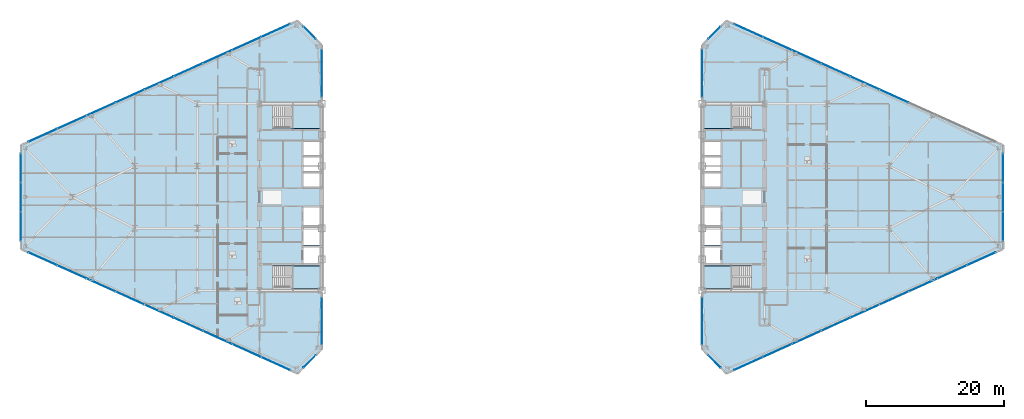
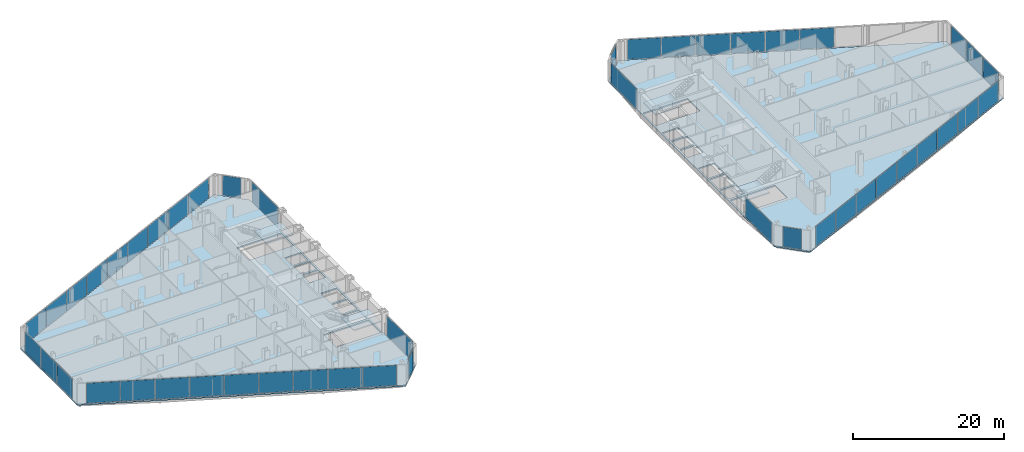
# One storey, part 17 of 27: 47 plates, 6 slabs, 18 elements without a shape of their own.
"""IFC4 building model written with IfcOpenShell, lengths in metres."""

from ifc_helpers import new_model, si_unit, direction, frame, origin, origin_2d, place, context, subcontext, project, spatial, polyline, rectangle, outline, extrude, source, transform, mapped, material, layer, layer_set, type_object, type_shapes, element, aggregate, save


model = new_model("IFC4")

# Units and contexts
model_context = context("Model", 3, precision=1e-05, world=origin(), true_north=direction((0.0, 1.0)))
body_context = subcontext(model_context, "Body", "Model", "MODEL_VIEW")
ifc_project = project(units=[si_unit("LENGTHUNIT", "METRE"), si_unit("AREAUNIT", "SQUARE_METRE"), si_unit("VOLUMEUNIT", "CUBIC_METRE"), si_unit("PLANEANGLEUNIT", "RADIAN"), si_unit("MASSUNIT", "GRAM", prefix="KILO")], contexts=[model_context])

# Site, building, storey
site_placement = place(None, origin())
site = spatial("IfcSite", under=ifc_project, at=site_placement, CompositionType="ELEMENT")
building_placement = place(site_placement, origin())
building = spatial("IfcBuilding", under=site, at=building_placement, Name="Seokmaru Belvedere", CompositionType="ELEMENT")
storey_placement = place(building_placement, frame((0.0, 0.0, 106.800048828125)))
storey = spatial("IfcBuildingStorey", under=building, at=storey_placement, Name="L28", CompositionType="ELEMENT", Elevation=106.800048828125)

# Stair, slab
ifc_material_1 = material(Name="Concrete C40 (40 MPa)", Category="concrete")
stair_type = type_object("IfcStairType", Name="Typical Tower Core Dog-Leg Stair 3600", PredefinedType="TWO_STRAIGHT_RUN_STAIR", material=ifc_material_1)
stair_1_placement = place(storey_placement, origin())
stair_1 = element("IfcStair", 1, at=stair_1_placement, inside=storey, type_object=stair_type, Name="L28 Special Escape Stair ST-W1", PredefinedType="TWO_STRAIGHT_RUN_STAIR")
ifc_layer_1 = layer(ifc_material_1, 0.199951171875)
ifc_layer_set_1 = layer_set([ifc_layer_1], Name="Concrete C40 (40 MPa)")
slab_type_1 = type_object("IfcSlabType", Name="Reinforced Concrete Stair Landing Slab 200", PredefinedType="LANDING", material=ifc_layer_set_1)
slab_1_placement = place(storey_placement, frame((0.0, 0.0, 1.599853515625)))
slab_1 = element("IfcSlab", 2, at=slab_1_placement, type_object=slab_type_1, Name="ST-W1 landing 1", PredefinedType="LANDING", context=body_context, shape_type="SweptSolid", body=[
    extrude(outline(polyline([(-31.8798828125, -13.239990234375), (-27.760009765625, -13.239990234375), (-27.760009765625, -9.949951171875), (-31.8798828125, -9.949951171875), (-31.8798828125, -13.239990234375)])), origin(), (0.0, 0.0, 1.0), 0.2001953125),
])
aggregate(stair_1, [slab_1])

stair_2_placement = place(storey_placement, origin())
stair_2 = element("IfcStair", 3, at=stair_2_placement, inside=storey, type_object=stair_type, Name="L28 Special Escape Stair ST-W2", PredefinedType="TWO_STRAIGHT_RUN_STAIR")
slab_2_placement = place(storey_placement, frame((0.0, 0.0, 1.599853515625)))
slab_2 = element("IfcSlab", 4, at=slab_2_placement, type_object=slab_type_1, Name="ST-W2 landing 1", PredefinedType="LANDING", context=body_context, shape_type="SweptSolid", body=[
    extrude(outline(polyline([(-31.8798828125, 9.949951171875), (-27.760009765625, 9.949951171875), (-27.760009765625, 13.239990234375), (-31.8798828125, 13.239990234375), (-31.8798828125, 9.949951171875)])), origin(), (0.0, 0.0, 1.0), 0.2001953125),
])
aggregate(stair_2, [slab_2])

stair_3_placement = place(storey_placement, origin())
stair_3 = element("IfcStair", 5, at=stair_3_placement, inside=storey, type_object=stair_type, Name="L28 Special Escape Stair ST-E1", PredefinedType="TWO_STRAIGHT_RUN_STAIR")
slab_3_placement = place(storey_placement, frame((0.0, 0.0, 1.599853515625)))
slab_3 = element("IfcSlab", 6, at=slab_3_placement, type_object=slab_type_1, Name="ST-E1 landing 1", PredefinedType="LANDING", context=body_context, shape_type="SweptSolid", body=[
    extrude(outline(polyline([(27.760009765625, -13.239990234375), (31.8798828125, -13.239990234375), (31.8798828125, -9.949951171875), (27.760009765625, -9.949951171875), (27.760009765625, -13.239990234375)])), origin(), (0.0, 0.0, 1.0), 0.2001953125),
])
aggregate(stair_3, [slab_3])

stair_4_placement = place(storey_placement, origin())
stair_4 = element("IfcStair", 7, at=stair_4_placement, inside=storey, type_object=stair_type, Name="L28 Special Escape Stair ST-E2", PredefinedType="TWO_STRAIGHT_RUN_STAIR")
slab_4_placement = place(storey_placement, frame((0.0, 0.0, 1.599853515625)))
slab_4 = element("IfcSlab", 8, at=slab_4_placement, type_object=slab_type_1, Name="ST-E2 landing 1", PredefinedType="LANDING", context=body_context, shape_type="SweptSolid", body=[
    extrude(outline(polyline([(27.760009765625, 9.949951171875), (31.8798828125, 9.949951171875), (31.8798828125, 13.239990234375), (27.760009765625, 13.239990234375), (27.760009765625, 9.949951171875)])), origin(), (0.0, 0.0, 1.0), 0.2001953125),
])
aggregate(stair_4, [slab_4])

# Slabs
ifc_layer_2 = layer(ifc_material_1, 0.219970703125)
ifc_layer_set_2 = layer_set([ifc_layer_2], Name="Concrete C40 (40 MPa)")
slab_type_2 = type_object("IfcSlabType", Name="Typical Tower Composite Floor Slab 220", PredefinedType="FLOOR", material=ifc_layer_set_2)
slab_5_placement = place(storey_placement, frame((0.0, 0.0, -0.219970703125)))
element("IfcSlab", 9, at=slab_5_placement, inside=storey, type_object=slab_type_2, Name="L28 West Leg Floor Slab", PredefinedType="FLOOR", context=body_context, shape_type="SweptSolid", body=[
    extrude(outline(polyline([(-27.5, -22.0), (-27.5, 22.0), (-31.0, 25.5), (-71.0, 7.5), (-71.0, -7.5), (-31.0, -25.5), (-27.5, -22.0)]), holes=[polyline([(-34.60009765625, -13.25), (-27.75, -13.25), (-27.75, -9.949951171875), (-34.60009765625, -9.949951171875), (-34.60009765625, -13.25)]), polyline([(-34.60009765625, 9.949951171875), (-27.75, 9.949951171875), (-27.75, 13.25), (-34.60009765625, 13.25), (-34.60009765625, 9.949951171875)]), polyline([(-30.14990234375, -9.550048828125), (-27.75, -9.550048828125), (-27.75, -7.25), (-30.14990234375, -7.25), (-30.14990234375, -9.550048828125)]), polyline([(-30.14990234375, -6.949951171875), (-27.75, -6.949951171875), (-27.75, -4.35009765625), (-30.14990234375, -4.35009765625), (-30.14990234375, -6.949951171875)]), polyline([(-30.14990234375, -4.050048828125), (-27.75, -4.050048828125), (-27.75, -1.449951171875), (-30.14990234375, -1.449951171875), (-30.14990234375, -4.050048828125)]), polyline([(-30.14990234375, 1.449951171875), (-27.75, 1.449951171875), (-27.75, 3.449951171875), (-30.14990234375, 3.449951171875), (-30.14990234375, 1.449951171875)]), polyline([(-30.14990234375, 3.75), (-27.75, 3.75), (-27.75, 5.75), (-30.14990234375, 5.75), (-30.14990234375, 3.75)]), polyline([(-30.14990234375, 6.050048828125), (-27.75, 6.050048828125), (-27.75, 8.050048828125), (-30.14990234375, 8.050048828125), (-30.14990234375, 6.050048828125)])]), origin(), (0.0, 0.0, 1.0), 0.219970703125),
])
slab_6_placement = place(storey_placement, frame((0.0, 0.0, -0.219970703125)))
element("IfcSlab", 10, at=slab_6_placement, inside=storey, type_object=slab_type_2, Name="L28 East Leg Floor Slab", PredefinedType="FLOOR", context=body_context, shape_type="SweptSolid", body=[
    extrude(outline(polyline([(31.0, -25.5), (71.0, -7.5), (71.0, 7.5), (31.0, 25.5), (27.5, 22.0), (27.5, -22.0), (31.0, -25.5)]), holes=[polyline([(27.75, -13.25), (34.60009765625, -13.25), (34.60009765625, -9.949951171875), (27.75, -9.949951171875), (27.75, -13.25)]), polyline([(27.75, 9.949951171875), (34.60009765625, 9.949951171875), (34.60009765625, 13.25), (27.75, 13.25), (27.75, 9.949951171875)]), polyline([(27.75, -9.550048828125), (30.14990234375, -9.550048828125), (30.14990234375, -7.25), (27.75, -7.25), (27.75, -9.550048828125)]), polyline([(27.75, -6.949951171875), (30.14990234375, -6.949951171875), (30.14990234375, -4.35009765625), (27.75, -4.35009765625), (27.75, -6.949951171875)]), polyline([(27.75, -4.050048828125), (30.14990234375, -4.050048828125), (30.14990234375, -1.449951171875), (27.75, -1.449951171875), (27.75, -4.050048828125)]), polyline([(27.75, 1.449951171875), (30.14990234375, 1.449951171875), (30.14990234375, 3.449951171875), (27.75, 3.449951171875), (27.75, 1.449951171875)]), polyline([(27.75, 3.75), (30.14990234375, 3.75), (30.14990234375, 5.75), (27.75, 5.75), (27.75, 3.75)]), polyline([(27.75, 6.050048828125), (30.14990234375, 6.050048828125), (30.14990234375, 8.050048828125), (27.75, 8.050048828125), (27.75, 6.050048828125)])]), origin(), (0.0, 0.0, 1.0), 0.219970703125),
])

# Curtain wall, plate
ifc_material_2 = material(Name="Bronze Triple Insulating Glass", Category="glass")
ifc_layer_3 = layer(ifc_material_2, 0.195068359375)
ifc_layer_set_3 = layer_set([ifc_layer_3], Name="Bronze Triple Insulating Glass")
curtain_wall_type = type_object("IfcCurtainWallType", Name="Lower-Mid Tapered Curtain Wall System CW-3", PredefinedType="NOTDEFINED", material=ifc_layer_set_3)
curtain_wall_1_placement = place(storey_placement, origin())
curtain_wall_1 = element("IfcCurtainWall", 11, at=curtain_wall_1_placement, inside=storey, type_object=curtain_wall_type, Name="L28 Curtain Wall WSP_1", PredefinedType="NOTDEFINED")
ifc_layer_4 = layer(ifc_material_2, 0.035888671875)
ifc_layer_set_4 = layer_set([ifc_layer_4], Name="Bronze Triple Insulating Glass")
plate_type = type_object("IfcPlateType", Name="Bronze Triple Vision Glazing Panel 36", PredefinedType="CURTAIN_PANEL", material=ifc_layer_set_4)
shared_shape_1 = source(origin(), body_context, "Body", "SweptSolid", [
    extrude(rectangle(XDim=6.909912109375, YDim=0.035888671875, at=origin_2d()), origin(), (0.0, 0.0, 1.0), 3.239990234375),
])
plate_1_placement = place(storey_placement, frame((-27.5, -17.905029296875, 0.06982421875), z_axis=(0.0, 0.0, 1.0), x_axis=(0.0, 1.0, 0.0)))
plate_1 = element("IfcPlate", 12, at=plate_1_placement, type_object=plate_type, Name="CW:L28:WSP_1 Glazing Panel 1-1", PredefinedType="CURTAIN_PANEL", context=body_context, shape_type="MappedRepresentation", body=[
    mapped(shared_shape_1, transform((0.0, 0.0, 0.0), scale=1.0)),
])
aggregate(curtain_wall_1, [plate_1])

curtain_wall_2_placement = place(storey_placement, origin())
curtain_wall_2 = element("IfcCurtainWall", 13, at=curtain_wall_2_placement, inside=storey, type_object=curtain_wall_type, Name="L28 Curtain Wall WSP_2", PredefinedType="NOTDEFINED")
plate_2_placement = place(storey_placement, frame((-27.5, 17.905029296875, 0.06982421875), z_axis=(0.0, 0.0, 1.0), x_axis=(0.0, 1.0, 0.0)))
plate_2 = element("IfcPlate", 14, at=plate_2_placement, type_object=plate_type, Name="CW:L28:WSP_2 Glazing Panel 1-1", PredefinedType="CURTAIN_PANEL", context=body_context, shape_type="MappedRepresentation", body=[
    mapped(shared_shape_1, transform((0.0, 0.0, 0.0), scale=1.0)),
])
aggregate(curtain_wall_2, [plate_2])

curtain_wall_3_placement = place(storey_placement, origin())
curtain_wall_3 = element("IfcCurtainWall", 15, at=curtain_wall_3_placement, inside=storey, type_object=curtain_wall_type, Name="L28 Curtain Wall ESP_1", PredefinedType="NOTDEFINED")
plate_3_placement = place(storey_placement, frame((27.5, -17.905029296875, 0.06982421875), z_axis=(0.0, 0.0, 1.0), x_axis=(0.0, -1.0, 0.0)))
plate_3 = element("IfcPlate", 16, at=plate_3_placement, type_object=plate_type, Name="CW:L28:ESP_1 Glazing Panel 1-1", PredefinedType="CURTAIN_PANEL", context=body_context, shape_type="MappedRepresentation", body=[
    mapped(shared_shape_1, transform((0.0, 0.0, 0.0), scale=1.0)),
])
aggregate(curtain_wall_3, [plate_3])

curtain_wall_4_placement = place(storey_placement, origin())
curtain_wall_4 = element("IfcCurtainWall", 17, at=curtain_wall_4_placement, inside=storey, type_object=curtain_wall_type, Name="L28 Curtain Wall ESP_2", PredefinedType="NOTDEFINED")
plate_4_placement = place(storey_placement, frame((27.5, 17.905029296875, 0.06982421875), z_axis=(0.0, 0.0, 1.0), x_axis=(0.0, -1.0, 0.0)))
plate_4 = element("IfcPlate", 18, at=plate_4_placement, type_object=plate_type, Name="CW:L28:ESP_2 Glazing Panel 1-1", PredefinedType="CURTAIN_PANEL", context=body_context, shape_type="MappedRepresentation", body=[
    mapped(shared_shape_1, transform((0.0, 0.0, 0.0), scale=1.0)),
])
aggregate(curtain_wall_4, [plate_4])

curtain_wall_5_placement = place(storey_placement, origin())
curtain_wall_5 = element("IfcCurtainWall", 19, at=curtain_wall_5_placement, inside=storey, type_object=curtain_wall_type, Name="L28 Curtain Wall WF2", PredefinedType="NOTDEFINED")
shared_shape_2 = source(origin(), body_context, "Body", "SweptSolid", [
    extrude(rectangle(XDim=2.509765625, YDim=0.035888671875, at=origin_2d()), origin(), (0.0, 0.0, 1.0), 3.239990234375),
])
plate_5_placement = place(storey_placement, frame((-29.25, 23.75, 0.06982421875), z_axis=(0.0, 0.0, 1.0), x_axis=(-0.707106781187, 0.707106781187, 0.0)))
plate_5 = element("IfcPlate", 20, at=plate_5_placement, type_object=plate_type, Name="CW:L28:WF2 Glazing Panel 1-1", PredefinedType="CURTAIN_PANEL", context=body_context, shape_type="MappedRepresentation", body=[
    mapped(shared_shape_2, transform((0.0, 0.0, 0.0), scale=1.0)),
])
aggregate(curtain_wall_5, [plate_5])

curtain_wall_6_placement = place(storey_placement, origin())
curtain_wall_6 = element("IfcCurtainWall", 21, at=curtain_wall_6_placement, inside=storey, type_object=curtain_wall_type, Name="L28 Curtain Wall WF6", PredefinedType="NOTDEFINED")
plate_6_placement = place(storey_placement, frame((-29.25, -23.75, 0.06982421875), z_axis=(0.0, 0.0, 1.0), x_axis=(0.707106781187, 0.707106781187, 0.0)))
plate_6 = element("IfcPlate", 22, at=plate_6_placement, type_object=plate_type, Name="CW:L28:WF6 Glazing Panel 1-1", PredefinedType="CURTAIN_PANEL", context=body_context, shape_type="MappedRepresentation", body=[
    mapped(shared_shape_2, transform((0.0, 0.0, 0.0), scale=1.0)),
])
aggregate(curtain_wall_6, [plate_6])

curtain_wall_7_placement = place(storey_placement, origin())
curtain_wall_7 = element("IfcCurtainWall", 23, at=curtain_wall_7_placement, inside=storey, type_object=curtain_wall_type, Name="L28 Curtain Wall EF4", PredefinedType="NOTDEFINED")
plate_7_placement = place(storey_placement, frame((29.25, 23.75, 0.06982421875), z_axis=(0.0, 0.0, 1.0), x_axis=(-0.707106781187, -0.707106781187, 0.0)))
plate_7 = element("IfcPlate", 24, at=plate_7_placement, type_object=plate_type, Name="CW:L28:EF4 Glazing Panel 1-1", PredefinedType="CURTAIN_PANEL", context=body_context, shape_type="MappedRepresentation", body=[
    mapped(shared_shape_2, transform((0.0, 0.0, 0.0), scale=1.0)),
])
aggregate(curtain_wall_7, [plate_7])

curtain_wall_8_placement = place(storey_placement, origin())
curtain_wall_8 = element("IfcCurtainWall", 25, at=curtain_wall_8_placement, inside=storey, type_object=curtain_wall_type, Name="L28 Curtain Wall EF6", PredefinedType="NOTDEFINED")
plate_8_placement = place(storey_placement, frame((29.25, -23.75, 0.06982421875), z_axis=(0.0, 0.0, 1.0), x_axis=(0.707106781187, -0.707106781187, 0.0)))
plate_8 = element("IfcPlate", 26, at=plate_8_placement, type_object=plate_type, Name="CW:L28:EF6 Glazing Panel 1-1", PredefinedType="CURTAIN_PANEL", context=body_context, shape_type="MappedRepresentation", body=[
    mapped(shared_shape_2, transform((0.0, 0.0, 0.0), scale=1.0)),
])
aggregate(curtain_wall_8, [plate_8])

# Curtain wall, plates
curtain_wall_9_placement = place(storey_placement, origin())
curtain_wall_9 = element("IfcCurtainWall", 27, at=curtain_wall_9_placement, inside=storey, type_object=curtain_wall_type, Name="L28 Curtain Wall WF3", PredefinedType="NOTDEFINED")
shared_shape_3 = source(origin(), body_context, "Body", "SweptSolid", [
    extrude(rectangle(XDim=4.51318359375, YDim=0.035888671875, at=origin_2d()), origin(), (0.0, 0.0, 1.0), 3.239990234375),
])
plate_9_placement = place(storey_placement, frame((-34.17041015625, 24.073486328125, 0.06982421875), z_axis=(0.0, 0.0, 1.0), x_axis=(-0.91192111353, -0.41036554765, 0.0)))
plate_9 = element("IfcPlate", 28, at=plate_9_placement, type_object=plate_type, Name="CW:L28:WF3 Glazing Panel 1-1", PredefinedType="CURTAIN_PANEL", context=body_context, shape_type="MappedRepresentation", body=[
    mapped(shared_shape_3, transform((0.0, 0.0, 0.0), scale=1.0)),
])
plate_10_placement = place(storey_placement, frame((-67.82958984375, 8.926513671875, 0.06982421875), z_axis=(0.0, 0.0, 1.0), x_axis=(-0.91192111353, -0.41036554765, 0.0)))
plate_10 = element("IfcPlate", 29, at=plate_10_placement, type_object=plate_type, Name="CW:L28:WF3 Glazing Panel 9-1", PredefinedType="CURTAIN_PANEL", context=body_context, shape_type="MappedRepresentation", body=[
    mapped(shared_shape_3, transform((0.0, 0.0, 0.0), scale=1.0)),
])

curtain_wall_10_placement = place(storey_placement, origin())
curtain_wall_10 = element("IfcCurtainWall", 30, at=curtain_wall_10_placement, inside=storey, type_object=curtain_wall_type, Name="L28 Curtain Wall WF5", PredefinedType="NOTDEFINED")
plate_11_placement = place(storey_placement, frame((-67.82958984375, -8.926513671875, 0.06982421875), z_axis=(0.0, 0.0, 1.0), x_axis=(0.91192111353, -0.41036554765, 0.0)))
plate_11 = element("IfcPlate", 31, at=plate_11_placement, type_object=plate_type, Name="CW:L28:WF5 Glazing Panel 1-1", PredefinedType="CURTAIN_PANEL", context=body_context, shape_type="MappedRepresentation", body=[
    mapped(shared_shape_3, transform((0.0, 0.0, 0.0), scale=1.0)),
])
plate_12_placement = place(storey_placement, frame((-34.17041015625, -24.073486328125, 0.06982421875), z_axis=(0.0, 0.0, 1.0), x_axis=(0.91192111353, -0.41036554765, 0.0)))
plate_12 = element("IfcPlate", 32, at=plate_12_placement, type_object=plate_type, Name="CW:L28:WF5 Glazing Panel 9-1", PredefinedType="CURTAIN_PANEL", context=body_context, shape_type="MappedRepresentation", body=[
    mapped(shared_shape_3, transform((0.0, 0.0, 0.0), scale=1.0)),
])

curtain_wall_11_placement = place(storey_placement, origin())
curtain_wall_11 = element("IfcCurtainWall", 33, at=curtain_wall_11_placement, inside=storey, type_object=curtain_wall_type, Name="L28 Curtain Wall EF1", PredefinedType="NOTDEFINED")
plate_13_placement = place(storey_placement, frame((34.17041015625, -24.073486328125, 0.06982421875), z_axis=(0.0, 0.0, 1.0), x_axis=(0.91192111353, 0.41036554765, 0.0)))
plate_13 = element("IfcPlate", 34, at=plate_13_placement, type_object=plate_type, Name="CW:L28:EF1 Glazing Panel 1-1", PredefinedType="CURTAIN_PANEL", context=body_context, shape_type="MappedRepresentation", body=[
    mapped(shared_shape_3, transform((0.0, 0.0, 0.0), scale=1.0)),
])
plate_14_placement = place(storey_placement, frame((67.82958984375, -8.926513671875, 0.06982421875), z_axis=(0.0, 0.0, 1.0), x_axis=(0.91192111353, 0.41036554765, 0.0)))
plate_14 = element("IfcPlate", 35, at=plate_14_placement, type_object=plate_type, Name="CW:L28:EF1 Glazing Panel 9-1", PredefinedType="CURTAIN_PANEL", context=body_context, shape_type="MappedRepresentation", body=[
    mapped(shared_shape_3, transform((0.0, 0.0, 0.0), scale=1.0)),
])

# Curtain wall, plate
curtain_wall_12_placement = place(storey_placement, origin())
curtain_wall_12 = element("IfcCurtainWall", 36, at=curtain_wall_12_placement, inside=storey, type_object=curtain_wall_type, Name="L28 Curtain Wall EF3", PredefinedType="NOTDEFINED")
plate_15_placement = place(storey_placement, frame((34.17041015625, 24.073486328125, 0.06982421875), z_axis=(0.0, 0.0, 1.0), x_axis=(-0.91192111353, 0.41036554765, 0.0)))
plate_15 = element("IfcPlate", 37, at=plate_15_placement, type_object=plate_type, Name="CW:L28:EF3 Glazing Panel 9-1", PredefinedType="CURTAIN_PANEL", context=body_context, shape_type="MappedRepresentation", body=[
    mapped(shared_shape_3, transform((0.0, 0.0, 0.0), scale=1.0)),
])

# Plate
shared_shape_4 = source(origin(), body_context, "Body", "SweptSolid", [
    extrude(rectangle(XDim=4.548095703125, YDim=0.035888671875, at=origin_2d()), origin(), (0.0, 0.0, 1.0), 3.239990234375),
])
plate_16_placement = place(storey_placement, frame((-38.36572265625, 22.185302734375, 0.06982421875), z_axis=(0.0, 0.0, 1.0), x_axis=(-0.91192111353, -0.41036554765, 0.0)))
plate_16 = element("IfcPlate", 38, at=plate_16_placement, type_object=plate_type, Name="CW:L28:WF3 Glazing Panel 2-1", PredefinedType="CURTAIN_PANEL", context=body_context, shape_type="MappedRepresentation", body=[
    mapped(shared_shape_4, transform((0.0, 0.0, 0.0), scale=1.0)),
])

plate_17_placement = place(storey_placement, frame((-42.5771484375, 20.290283203125, 0.06982421875), z_axis=(0.0, 0.0, 1.0), x_axis=(-0.91192111353, -0.41036554765, 0.0)))
plate_17 = element("IfcPlate", 39, at=plate_17_placement, type_object=plate_type, Name="CW:L28:WF3 Glazing Panel 3-1", PredefinedType="CURTAIN_PANEL", context=body_context, shape_type="MappedRepresentation", body=[
    mapped(shared_shape_4, transform((0.0, 0.0, 0.0), scale=1.0)),
])

plate_18_placement = place(storey_placement, frame((-46.78857421875, 18.39501953125, 0.06982421875), z_axis=(0.0, 0.0, 1.0), x_axis=(-0.91192111353, -0.41036554765, 0.0)))
plate_18 = element("IfcPlate", 40, at=plate_18_placement, type_object=plate_type, Name="CW:L28:WF3 Glazing Panel 4-1", PredefinedType="CURTAIN_PANEL", context=body_context, shape_type="MappedRepresentation", body=[
    mapped(shared_shape_4, transform((0.0, 0.0, 0.0), scale=1.0)),
])

plate_19_placement = place(storey_placement, frame((-51.0, 16.5, 0.06982421875), z_axis=(0.0, 0.0, 1.0), x_axis=(-0.91192111353, -0.41036554765, 0.0)))
plate_19 = element("IfcPlate", 41, at=plate_19_placement, type_object=plate_type, Name="CW:L28:WF3 Glazing Panel 5-1", PredefinedType="CURTAIN_PANEL", context=body_context, shape_type="MappedRepresentation", body=[
    mapped(shared_shape_4, transform((0.0, 0.0, 0.0), scale=1.0)),
])

plate_20_placement = place(storey_placement, frame((-55.21142578125, 14.60498046875, 0.06982421875), z_axis=(0.0, 0.0, 1.0), x_axis=(-0.91192111353, -0.41036554765, 0.0)))
plate_20 = element("IfcPlate", 42, at=plate_20_placement, type_object=plate_type, Name="CW:L28:WF3 Glazing Panel 6-1", PredefinedType="CURTAIN_PANEL", context=body_context, shape_type="MappedRepresentation", body=[
    mapped(shared_shape_4, transform((0.0, 0.0, 0.0), scale=1.0)),
])

plate_21_placement = place(storey_placement, frame((-59.4228515625, 12.709716796875, 0.06982421875), z_axis=(0.0, 0.0, 1.0), x_axis=(-0.91192111353, -0.41036554765, 0.0)))
plate_21 = element("IfcPlate", 43, at=plate_21_placement, type_object=plate_type, Name="CW:L28:WF3 Glazing Panel 7-1", PredefinedType="CURTAIN_PANEL", context=body_context, shape_type="MappedRepresentation", body=[
    mapped(shared_shape_4, transform((0.0, 0.0, 0.0), scale=1.0)),
])

plate_22_placement = place(storey_placement, frame((-63.63427734375, 10.814697265625, 0.06982421875), z_axis=(0.0, 0.0, 1.0), x_axis=(-0.91192111353, -0.41036554765, 0.0)))
plate_22 = element("IfcPlate", 44, at=plate_22_placement, type_object=plate_type, Name="CW:L28:WF3 Glazing Panel 8-1", PredefinedType="CURTAIN_PANEL", context=body_context, shape_type="MappedRepresentation", body=[
    mapped(shared_shape_4, transform((0.0, 0.0, 0.0), scale=1.0)),
])

aggregate(curtain_wall_9, [plate_9, plate_16, plate_17, plate_18, plate_19, plate_20, plate_21, plate_22, plate_10])

plate_23_placement = place(storey_placement, frame((-63.63427734375, -10.814697265625, 0.06982421875), z_axis=(0.0, 0.0, 1.0), x_axis=(0.91192111353, -0.41036554765, 0.0)))
plate_23 = element("IfcPlate", 45, at=plate_23_placement, type_object=plate_type, Name="CW:L28:WF5 Glazing Panel 2-1", PredefinedType="CURTAIN_PANEL", context=body_context, shape_type="MappedRepresentation", body=[
    mapped(shared_shape_4, transform((0.0, 0.0, 0.0), scale=1.0)),
])

plate_24_placement = place(storey_placement, frame((-59.4228515625, -12.709716796875, 0.06982421875), z_axis=(0.0, 0.0, 1.0), x_axis=(0.91192111353, -0.41036554765, 0.0)))
plate_24 = element("IfcPlate", 46, at=plate_24_placement, type_object=plate_type, Name="CW:L28:WF5 Glazing Panel 3-1", PredefinedType="CURTAIN_PANEL", context=body_context, shape_type="MappedRepresentation", body=[
    mapped(shared_shape_4, transform((0.0, 0.0, 0.0), scale=1.0)),
])

plate_25_placement = place(storey_placement, frame((-55.21142578125, -14.60498046875, 0.06982421875), z_axis=(0.0, 0.0, 1.0), x_axis=(0.91192111353, -0.41036554765, 0.0)))
plate_25 = element("IfcPlate", 47, at=plate_25_placement, type_object=plate_type, Name="CW:L28:WF5 Glazing Panel 4-1", PredefinedType="CURTAIN_PANEL", context=body_context, shape_type="MappedRepresentation", body=[
    mapped(shared_shape_4, transform((0.0, 0.0, 0.0), scale=1.0)),
])

plate_26_placement = place(storey_placement, frame((-51.0, -16.5, 0.06982421875), z_axis=(0.0, 0.0, 1.0), x_axis=(0.91192111353, -0.41036554765, 0.0)))
plate_26 = element("IfcPlate", 48, at=plate_26_placement, type_object=plate_type, Name="CW:L28:WF5 Glazing Panel 5-1", PredefinedType="CURTAIN_PANEL", context=body_context, shape_type="MappedRepresentation", body=[
    mapped(shared_shape_4, transform((0.0, 0.0, 0.0), scale=1.0)),
])

plate_27_placement = place(storey_placement, frame((-46.78857421875, -18.39501953125, 0.06982421875), z_axis=(0.0, 0.0, 1.0), x_axis=(0.91192111353, -0.41036554765, 0.0)))
plate_27 = element("IfcPlate", 49, at=plate_27_placement, type_object=plate_type, Name="CW:L28:WF5 Glazing Panel 6-1", PredefinedType="CURTAIN_PANEL", context=body_context, shape_type="MappedRepresentation", body=[
    mapped(shared_shape_4, transform((0.0, 0.0, 0.0), scale=1.0)),
])

plate_28_placement = place(storey_placement, frame((-42.5771484375, -20.290283203125, 0.06982421875), z_axis=(0.0, 0.0, 1.0), x_axis=(0.91192111353, -0.41036554765, 0.0)))
plate_28 = element("IfcPlate", 50, at=plate_28_placement, type_object=plate_type, Name="CW:L28:WF5 Glazing Panel 7-1", PredefinedType="CURTAIN_PANEL", context=body_context, shape_type="MappedRepresentation", body=[
    mapped(shared_shape_4, transform((0.0, 0.0, 0.0), scale=1.0)),
])

plate_29_placement = place(storey_placement, frame((-38.36572265625, -22.185302734375, 0.06982421875), z_axis=(0.0, 0.0, 1.0), x_axis=(0.91192111353, -0.41036554765, 0.0)))
plate_29 = element("IfcPlate", 51, at=plate_29_placement, type_object=plate_type, Name="CW:L28:WF5 Glazing Panel 8-1", PredefinedType="CURTAIN_PANEL", context=body_context, shape_type="MappedRepresentation", body=[
    mapped(shared_shape_4, transform((0.0, 0.0, 0.0), scale=1.0)),
])

aggregate(curtain_wall_10, [plate_11, plate_23, plate_24, plate_25, plate_26, plate_27, plate_28, plate_29, plate_12])

plate_30_placement = place(storey_placement, frame((38.36572265625, -22.185302734375, 0.06982421875), z_axis=(0.0, 0.0, 1.0), x_axis=(0.91192111353, 0.41036554765, 0.0)))
plate_30 = element("IfcPlate", 52, at=plate_30_placement, type_object=plate_type, Name="CW:L28:EF1 Glazing Panel 2-1", PredefinedType="CURTAIN_PANEL", context=body_context, shape_type="MappedRepresentation", body=[
    mapped(shared_shape_4, transform((0.0, 0.0, 0.0), scale=1.0)),
])

plate_31_placement = place(storey_placement, frame((42.5771484375, -20.290283203125, 0.06982421875), z_axis=(0.0, 0.0, 1.0), x_axis=(0.91192111353, 0.41036554765, 0.0)))
plate_31 = element("IfcPlate", 53, at=plate_31_placement, type_object=plate_type, Name="CW:L28:EF1 Glazing Panel 3-1", PredefinedType="CURTAIN_PANEL", context=body_context, shape_type="MappedRepresentation", body=[
    mapped(shared_shape_4, transform((0.0, 0.0, 0.0), scale=1.0)),
])

plate_32_placement = place(storey_placement, frame((46.78857421875, -18.39501953125, 0.06982421875), z_axis=(0.0, 0.0, 1.0), x_axis=(0.91192111353, 0.41036554765, 0.0)))
plate_32 = element("IfcPlate", 54, at=plate_32_placement, type_object=plate_type, Name="CW:L28:EF1 Glazing Panel 4-1", PredefinedType="CURTAIN_PANEL", context=body_context, shape_type="MappedRepresentation", body=[
    mapped(shared_shape_4, transform((0.0, 0.0, 0.0), scale=1.0)),
])

plate_33_placement = place(storey_placement, frame((51.0, -16.5, 0.06982421875), z_axis=(0.0, 0.0, 1.0), x_axis=(0.91192111353, 0.41036554765, 0.0)))
plate_33 = element("IfcPlate", 55, at=plate_33_placement, type_object=plate_type, Name="CW:L28:EF1 Glazing Panel 5-1", PredefinedType="CURTAIN_PANEL", context=body_context, shape_type="MappedRepresentation", body=[
    mapped(shared_shape_4, transform((0.0, 0.0, 0.0), scale=1.0)),
])

plate_34_placement = place(storey_placement, frame((55.21142578125, -14.60498046875, 0.06982421875), z_axis=(0.0, 0.0, 1.0), x_axis=(0.91192111353, 0.41036554765, 0.0)))
plate_34 = element("IfcPlate", 56, at=plate_34_placement, type_object=plate_type, Name="CW:L28:EF1 Glazing Panel 6-1", PredefinedType="CURTAIN_PANEL", context=body_context, shape_type="MappedRepresentation", body=[
    mapped(shared_shape_4, transform((0.0, 0.0, 0.0), scale=1.0)),
])

plate_35_placement = place(storey_placement, frame((59.4228515625, -12.709716796875, 0.06982421875), z_axis=(0.0, 0.0, 1.0), x_axis=(0.91192111353, 0.41036554765, 0.0)))
plate_35 = element("IfcPlate", 57, at=plate_35_placement, type_object=plate_type, Name="CW:L28:EF1 Glazing Panel 7-1", PredefinedType="CURTAIN_PANEL", context=body_context, shape_type="MappedRepresentation", body=[
    mapped(shared_shape_4, transform((0.0, 0.0, 0.0), scale=1.0)),
])

plate_36_placement = place(storey_placement, frame((63.63427734375, -10.814697265625, 0.06982421875), z_axis=(0.0, 0.0, 1.0), x_axis=(0.91192111353, 0.41036554765, 0.0)))
plate_36 = element("IfcPlate", 58, at=plate_36_placement, type_object=plate_type, Name="CW:L28:EF1 Glazing Panel 8-1", PredefinedType="CURTAIN_PANEL", context=body_context, shape_type="MappedRepresentation", body=[
    mapped(shared_shape_4, transform((0.0, 0.0, 0.0), scale=1.0)),
])

aggregate(curtain_wall_11, [plate_13, plate_30, plate_31, plate_32, plate_33, plate_34, plate_35, plate_36, plate_14])

plate_37_placement = place(storey_placement, frame((55.21142578125, 14.60498046875, 0.06982421875), z_axis=(0.0, 0.0, 1.0), x_axis=(-0.91192111353, 0.41036554765, 0.0)))
plate_37 = element("IfcPlate", 59, at=plate_37_placement, type_object=plate_type, Name="CW:L28:EF3 Glazing Panel 4-1", PredefinedType="CURTAIN_PANEL", context=body_context, shape_type="MappedRepresentation", body=[
    mapped(shared_shape_4, transform((0.0, 0.0, 0.0), scale=1.0)),
])

plate_38_placement = place(storey_placement, frame((51.0, 16.5, 0.06982421875), z_axis=(0.0, 0.0, 1.0), x_axis=(-0.91192111353, 0.41036554765, 0.0)))
plate_38 = element("IfcPlate", 60, at=plate_38_placement, type_object=plate_type, Name="CW:L28:EF3 Glazing Panel 5-1", PredefinedType="CURTAIN_PANEL", context=body_context, shape_type="MappedRepresentation", body=[
    mapped(shared_shape_4, transform((0.0, 0.0, 0.0), scale=1.0)),
])

plate_39_placement = place(storey_placement, frame((46.78857421875, 18.39501953125, 0.06982421875), z_axis=(0.0, 0.0, 1.0), x_axis=(-0.91192111353, 0.41036554765, 0.0)))
plate_39 = element("IfcPlate", 61, at=plate_39_placement, type_object=plate_type, Name="CW:L28:EF3 Glazing Panel 6-1", PredefinedType="CURTAIN_PANEL", context=body_context, shape_type="MappedRepresentation", body=[
    mapped(shared_shape_4, transform((0.0, 0.0, 0.0), scale=1.0)),
])

plate_40_placement = place(storey_placement, frame((42.5771484375, 20.290283203125, 0.06982421875), z_axis=(0.0, 0.0, 1.0), x_axis=(-0.91192111353, 0.41036554765, 0.0)))
plate_40 = element("IfcPlate", 62, at=plate_40_placement, type_object=plate_type, Name="CW:L28:EF3 Glazing Panel 7-1", PredefinedType="CURTAIN_PANEL", context=body_context, shape_type="MappedRepresentation", body=[
    mapped(shared_shape_4, transform((0.0, 0.0, 0.0), scale=1.0)),
])

plate_41_placement = place(storey_placement, frame((38.36572265625, 22.185302734375, 0.06982421875), z_axis=(0.0, 0.0, 1.0), x_axis=(-0.91192111353, 0.41036554765, 0.0)))
plate_41 = element("IfcPlate", 63, at=plate_41_placement, type_object=plate_type, Name="CW:L28:EF3 Glazing Panel 8-1", PredefinedType="CURTAIN_PANEL", context=body_context, shape_type="MappedRepresentation", body=[
    mapped(shared_shape_4, transform((0.0, 0.0, 0.0), scale=1.0)),
])

aggregate(curtain_wall_12, [plate_37, plate_38, plate_39, plate_40, plate_41, plate_15])

# Curtain wall, plates
curtain_wall_13_placement = place(storey_placement, origin())
curtain_wall_13 = element("IfcCurtainWall", 64, at=curtain_wall_13_placement, inside=storey, type_object=curtain_wall_type, Name="L28 Curtain Wall WF4", PredefinedType="NOTDEFINED")
shared_shape_5 = source(origin(), body_context, "Body", "SweptSolid", [
    extrude(rectangle(XDim=4.12841796875, YDim=0.035888671875, at=origin_2d()), origin(), (0.0, 0.0, 1.0), 3.239990234375),
])
plate_42_placement = place(storey_placement, frame((-71.0, 4.2158203125, 0.06982421875), z_axis=(0.0, 0.0, 1.0), x_axis=(0.0, -1.0, 0.0)))
plate_42 = element("IfcPlate", 65, at=plate_42_placement, type_object=plate_type, Name="CW:L28:WF4 Glazing Panel 1-1", PredefinedType="CURTAIN_PANEL", context=body_context, shape_type="MappedRepresentation", body=[
    mapped(shared_shape_5, transform((0.0, 0.0, 0.0), scale=1.0)),
])
plate_43_placement = place(storey_placement, frame((-71.0, -4.2158203125, 0.06982421875), z_axis=(0.0, 0.0, 1.0), x_axis=(0.0, -1.0, 0.0)))
plate_43 = element("IfcPlate", 66, at=plate_43_placement, type_object=plate_type, Name="CW:L28:WF4 Glazing Panel 3-1", PredefinedType="CURTAIN_PANEL", context=body_context, shape_type="MappedRepresentation", body=[
    mapped(shared_shape_5, transform((0.0, 0.0, 0.0), scale=1.0)),
])

curtain_wall_14_placement = place(storey_placement, origin())
curtain_wall_14 = element("IfcCurtainWall", 67, at=curtain_wall_14_placement, inside=storey, type_object=curtain_wall_type, Name="L28 Curtain Wall EF2", PredefinedType="NOTDEFINED")
plate_44_placement = place(storey_placement, frame((71.0, -4.2158203125, 0.06982421875), z_axis=(0.0, 0.0, 1.0), x_axis=(0.0, 1.0, 0.0)))
plate_44 = element("IfcPlate", 68, at=plate_44_placement, type_object=plate_type, Name="CW:L28:EF2 Glazing Panel 1-1", PredefinedType="CURTAIN_PANEL", context=body_context, shape_type="MappedRepresentation", body=[
    mapped(shared_shape_5, transform((0.0, 0.0, 0.0), scale=1.0)),
])
plate_45_placement = place(storey_placement, frame((71.0, 4.2158203125, 0.06982421875), z_axis=(0.0, 0.0, 1.0), x_axis=(0.0, 1.0, 0.0)))
plate_45 = element("IfcPlate", 69, at=plate_45_placement, type_object=plate_type, Name="CW:L28:EF2 Glazing Panel 3-1", PredefinedType="CURTAIN_PANEL", context=body_context, shape_type="MappedRepresentation", body=[
    mapped(shared_shape_5, transform((0.0, 0.0, 0.0), scale=1.0)),
])

# Plate
shared_shape_6 = source(origin(), body_context, "Body", "SweptSolid", [
    extrude(rectangle(XDim=4.163330078125, YDim=0.035888671875, at=origin_2d()), origin(), (0.0, 0.0, 1.0), 3.239990234375),
])
type_shapes(plate_type, [shared_shape_1, shared_shape_2, shared_shape_3, shared_shape_4, shared_shape_5, shared_shape_6])
plate_46_placement = place(storey_placement, frame((-71.0, 0.0, 0.06982421875), z_axis=(0.0, 0.0, 1.0), x_axis=(0.0, -1.0, 0.0)))
plate_46 = element("IfcPlate", 70, at=plate_46_placement, type_object=plate_type, Name="CW:L28:WF4 Glazing Panel 2-1", PredefinedType="CURTAIN_PANEL", context=body_context, shape_type="MappedRepresentation", body=[
    mapped(shared_shape_6, transform((0.0, 0.0, 0.0), scale=1.0)),
])

aggregate(curtain_wall_13, [plate_42, plate_46, plate_43])

plate_47_placement = place(storey_placement, frame((71.0, 0.0, 0.06982421875), z_axis=(0.0, 0.0, 1.0), x_axis=(0.0, 1.0, 0.0)))
plate_47 = element("IfcPlate", 71, at=plate_47_placement, type_object=plate_type, Name="CW:L28:EF2 Glazing Panel 2-1", PredefinedType="CURTAIN_PANEL", context=body_context, shape_type="MappedRepresentation", body=[
    mapped(shared_shape_6, transform((0.0, 0.0, 0.0), scale=1.0)),
])

aggregate(curtain_wall_14, [plate_44, plate_47, plate_45])

save(model, "model.ifc")
